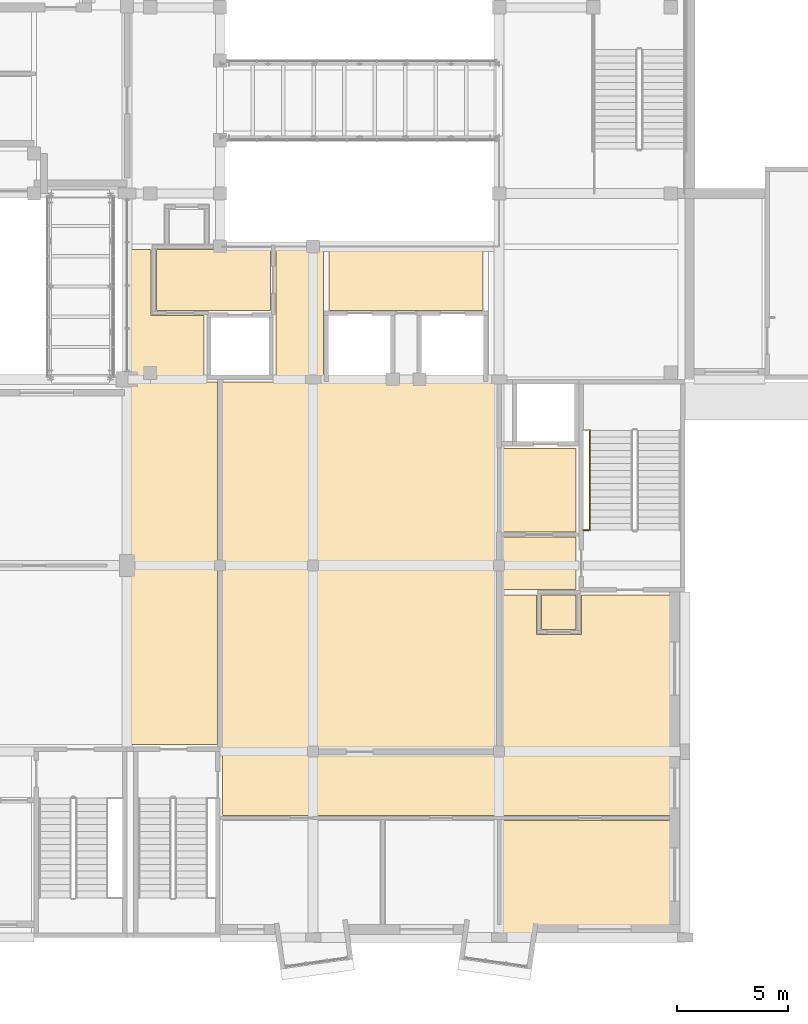
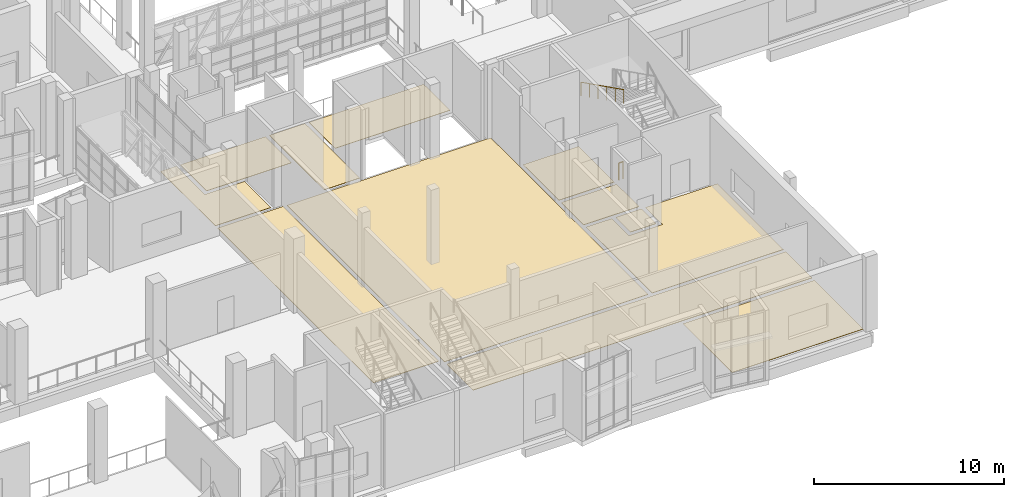
# One storey, part 70 of 86: 12 coverings, 2 railings.
"""IFC4 building model written with IfcOpenShell, lengths in metres."""

from ifc_helpers import new_model, si_unit, direction, frame, origin, origin_2d, place, context, subcontext, project, spatial, polyline, circle, outline, extrude, material, layer, layer_set, type_object, element, save


model = new_model("IFC4")

# Units and contexts
model_context = context("Model", 3, precision=1e-05, world=origin(), true_north=direction((0.0, 1.0)))
body_context = subcontext(model_context, "Body", "Model", "MODEL_VIEW")
ifc_project = project(units=[si_unit("LENGTHUNIT", "METRE"), si_unit("AREAUNIT", "SQUARE_METRE"), si_unit("VOLUMEUNIT", "CUBIC_METRE"), si_unit("PLANEANGLEUNIT", "RADIAN"), si_unit("MASSUNIT", "GRAM", prefix="KILO")], contexts=[model_context])

# Site, building, storey
site_placement = place(None, origin())
site = spatial("IfcSite", under=ifc_project, at=site_placement, CompositionType="ELEMENT")
building_placement = place(site_placement, origin())
building = spatial("IfcBuilding", under=site, at=building_placement, Name="Kiln Court Media Centre", CompositionType="ELEMENT")
storey_placement = place(building_placement, frame((0.0, 0.0, 10.199951171875)))
storey = spatial("IfcBuildingStorey", under=building, at=storey_placement, Name="L02", CompositionType="ELEMENT", Elevation=10.199951171875)

# Coverings
ifc_material_1 = material(Name="Carpet tile")
ifc_layer_1 = layer(ifc_material_1, 0.014892578125)
ifc_layer_set_1 = layer_set([ifc_layer_1], Name="Carpet tile floor finish 15")
covering_type_1 = type_object("IfcCoveringType", Name="Carpet tile floor finish 15", PredefinedType="FLOORING", material=ifc_layer_set_1)
covering_1_placement = place(storey_placement, origin())
element("IfcCovering", 1, at=covering_1_placement, inside=storey, type_object=covering_type_1, Name="Edit Review Room floor finish", PredefinedType="FLOORING", context=body_context, shape_type="SweptSolid", body=[
    extrude(outline(polyline([(50.52001953125, 0.1201171875), (58.47998046875, 0.1201171875), (58.47998046875, 5.280029296875), (50.52001953125, 5.280029296875), (50.52001953125, 0.1201171875)])), origin(), (0.0, 0.0, 1.0), 0.01513671875),
])
ifc_material_2 = material(Name="Engineered timber", Category="wood")
ifc_layer_2 = layer(ifc_material_2, 0.02001953125)
ifc_layer_set_2 = layer_set([ifc_layer_2], Name="Engineered timber floor finish 20")
covering_type_2 = type_object("IfcCoveringType", Name="Engineered timber floor finish 20", PredefinedType="FLOORING", material=ifc_layer_set_2)
covering_2_placement = place(storey_placement, origin())
element("IfcCovering", 2, at=covering_2_placement, inside=storey, type_object=covering_type_2, Name="Screening Room floor finish", PredefinedType="FLOORING", context=body_context, shape_type="SweptSolid", body=[
    extrude(outline(polyline([(37.919921875, 8.52001953125), (50.280029296875, 8.52001953125), (50.280029296875, 25.080078125), (37.919921875, 25.080078125), (37.919921875, 8.52001953125)])), origin(), (0.0, 0.0, 1.0), 0.02001953125),
])
ifc_material_3 = material(Name="Terrazzo")
ifc_layer_3 = layer(ifc_material_3, 0.02490234375)
ifc_layer_set_3 = layer_set([ifc_layer_3], Name="Polished terrazzo floor finish 25")
covering_type_3 = type_object("IfcCoveringType", Name="Polished terrazzo floor finish 25", PredefinedType="FLOORING", material=ifc_layer_set_3)
covering_3_placement = place(storey_placement, origin())
element("IfcCovering", 3, at=covering_3_placement, inside=storey, type_object=covering_type_3, Name="South Gallery West floor finish", PredefinedType="FLOORING", context=body_context, shape_type="SweptSolid", body=[
    extrude(outline(polyline([(37.080078125, 25.320068359375), (37.080078125, 28.080078125), (34.679931640625, 28.080078125), (34.679931640625, 31.080078125), (33.719970703125, 31.080078125), (33.719970703125, 25.320068359375), (37.080078125, 25.320068359375)])), origin(), (0.0, 0.0, 1.0), 0.025146484375),
])
covering_4_placement = place(storey_placement, origin())
element("IfcCovering", 4, at=covering_4_placement, inside=storey, type_object=covering_type_3, Name="South Gallery Link floor finish", PredefinedType="FLOORING", context=body_context, shape_type="SweptSolid", body=[
    extrude(outline(polyline([(40.320068359375, 25.320068359375), (42.47998046875, 25.320068359375), (42.47998046875, 31.080078125), (40.320068359375, 31.080078125), (40.320068359375, 25.320068359375)])), origin(), (0.0, 0.0, 1.0), 0.025146484375),
])
covering_5_placement = place(storey_placement, origin())
element("IfcCovering", 5, at=covering_5_placement, inside=storey, type_object=covering_type_3, Name="Fire-fighting Lift Lobby floor finish", PredefinedType="FLOORING", context=body_context, shape_type="SweptSolid", body=[
    extrude(outline(polyline([(34.919921875, 28.320068359375), (40.080078125, 28.320068359375), (40.080078125, 31.080078125), (34.919921875, 31.080078125), (34.919921875, 28.320068359375)])), origin(), (0.0, 0.0, 1.0), 0.025146484375),
])
covering_6_placement = place(storey_placement, origin())
element("IfcCovering", 6, at=covering_6_placement, inside=storey, type_object=covering_type_3, Name="Glass Lift Landing floor finish", PredefinedType="FLOORING", context=body_context, shape_type="SweptSolid", body=[
    extrude(outline(polyline([(42.719970703125, 28.320068359375), (49.679931640625, 28.320068359375), (49.679931640625, 31.080078125), (42.719970703125, 31.080078125), (42.719970703125, 28.320068359375)])), origin(), (0.0, 0.0, 1.0), 0.025146484375),
])
covering_7_placement = place(storey_placement, origin())
element("IfcCovering", 7, at=covering_7_placement, inside=storey, type_object=covering_type_3, Name="Suite Corridor floor finish", PredefinedType="FLOORING", context=body_context, shape_type="SweptSolid", body=[
    extrude(outline(polyline([(37.919921875, 5.52001953125), (58.47998046875, 5.52001953125), (58.47998046875, 8.280029296875), (37.919921875, 8.280029296875), (37.919921875, 5.52001953125)])), origin(), (0.0, 0.0, 1.0), 0.025146484375),
])
covering_8_placement = place(storey_placement, origin())
element("IfcCovering", 8, at=covering_8_placement, inside=storey, type_object=covering_type_3, Name="Screening Foyer floor finish", PredefinedType="FLOORING", context=body_context, shape_type="SweptSolid", body=[
    extrude(outline(polyline([(50.52001953125, 8.52001953125), (58.47998046875, 8.52001953125), (58.47998046875, 15.47998046875), (54.1201171875, 15.47998046875), (54.1201171875, 13.679931640625), (52.080078125, 13.679931640625), (52.080078125, 15.47998046875), (50.52001953125, 15.47998046875), (50.52001953125, 8.52001953125)])), origin(), (0.0, 0.0, 1.0), 0.025146484375),
])
covering_9_placement = place(storey_placement, origin())
element("IfcCovering", 9, at=covering_9_placement, inside=storey, type_object=covering_type_3, Name="Hall Corridor floor finish", PredefinedType="FLOORING", context=body_context, shape_type="SweptSolid", body=[
    extrude(outline(polyline([(33.719970703125, 25.080078125), (33.719970703125, 8.719970703125), (37.679931640625, 8.719970703125), (37.679931640625, 25.080078125), (33.719970703125, 25.080078125)])), origin(), (0.0, 0.0, 1.0), 0.025146484375),
])
covering_10_placement = place(storey_placement, origin())
element("IfcCovering", 10, at=covering_10_placement, inside=storey, type_object=covering_type_3, Name="Wheelchair Refuge floor finish", PredefinedType="FLOORING", context=body_context, shape_type="SweptSolid", body=[
    extrude(outline(polyline([(52.320068359375, 13.919921875), (53.8798828125, 13.919921875), (53.8798828125, 15.47998046875), (52.320068359375, 15.47998046875), (52.320068359375, 13.919921875)])), origin(), (0.0, 0.0, 1.0), 0.025146484375),
])
covering_11_placement = place(storey_placement, origin())
element("IfcCovering", 11, at=covering_11_placement, inside=storey, type_object=covering_type_3, Name="Stair 5 Lobby floor finish", PredefinedType="FLOORING", context=body_context, shape_type="SweptSolid", body=[
    extrude(outline(polyline([(50.52001953125, 15.719970703125), (53.8798828125, 15.719970703125), (53.8798828125, 18.080078125), (50.52001953125, 18.080078125), (50.52001953125, 15.719970703125)])), origin(), (0.0, 0.0, 1.0), 0.025146484375),
])
covering_12_placement = place(storey_placement, origin())
element("IfcCovering", 12, at=covering_12_placement, inside=storey, type_object=covering_type_3, Name="Fire-fighting Lift Lobby floor finish", PredefinedType="FLOORING", context=body_context, shape_type="SweptSolid", body=[
    extrude(outline(polyline([(50.52001953125, 18.320068359375), (53.8798828125, 18.320068359375), (53.8798828125, 22.080078125), (50.52001953125, 22.080078125), (50.52001953125, 18.320068359375)])), origin(), (0.0, 0.0, 1.0), 0.025146484375),
])

# Railings
ifc_material_4 = material(Name="Steel S275", Category="steel")
railing_type_1 = type_object("IfcRailingType", Name="Steel S275 stair guard 1100", PredefinedType="GUARDRAIL", material=ifc_material_4)
railing_1_placement = place(storey_placement, frame((54.449951171875, 18.39990234375, 0.0)))
element("IfcRailing", 13, at=railing_1_placement, inside=storey, type_object=railing_type_1, Name="ST-05 landing edge guard", PredefinedType="GUARDRAIL", context=body_context, shape_type="SweptSolid", body=[
    extrude(circle(Radius=0.02392578125, at=origin_2d()), frame((0.0, 0.0, 1.076171875), z_axis=(-1.0, 0.0, 0.0), x_axis=(0.0, -1.0, 0.0)), (0.0, 0.0, 1.0), 0.25),
    extrude(circle(Radius=0.02099609375, at=origin_2d()), origin(), (0.0, 0.0, 1.0), 1.052001953125),
    extrude(circle(Radius=0.02099609375, at=origin_2d()), frame((-0.25, 0.0, 0.0)), (0.0, 0.0, 1.0), 1.052001953125),
])
ifc_material_5 = material(Name="Steel S275", Category="steel")
railing_type_2 = type_object("IfcRailingType", Name="Steel S275 stair handrail 900", PredefinedType="HANDRAIL", material=ifc_material_5)
railing_2_placement = place(storey_placement, frame((54.5, 22.89990234375, 2.550048828125)))
element("IfcRailing", 14, at=railing_2_placement, inside=storey, type_object=railing_type_2, Name="ST-05 stair handrail", PredefinedType="HANDRAIL", context=body_context, shape_type="SweptSolid", body=[
    extrude(circle(Radius=0.02392578125, at=origin_2d()), frame((0.0, 0.0, 0.8759765625), z_axis=(0.0, -0.894427191, 0.4472135955), x_axis=(1.0, 0.0, 0.0)), (0.0, 0.0, 1.0), 5.03125),
    extrude(circle(Radius=0.02099609375, at=origin_2d()), origin(), (0.0, 0.0, 1.0), 0.851806640625),
    extrude(circle(Radius=0.02099609375, at=origin_2d()), frame((0.0, -0.89990234375, 0.449951171875)), (0.0, 0.0, 1.0), 0.851806640625),
    extrude(circle(Radius=0.02099609375, at=origin_2d()), frame((0.0, -1.800048828125, 0.89990234375)), (0.0, 0.0, 1.0), 0.851806640625),
    extrude(circle(Radius=0.02099609375, at=origin_2d()), frame((0.0, -2.699951171875, 1.35009765625)), (0.0, 0.0, 1.0), 0.851806640625),
    extrude(circle(Radius=0.02099609375, at=origin_2d()), frame((0.0, -3.60009765625, 1.800048828125)), (0.0, 0.0, 1.0), 0.851806640625),
    extrude(circle(Radius=0.02099609375, at=origin_2d()), frame((0.0, -4.5, 2.25)), (0.0, 0.0, 1.0), 0.851806640625),
])

save(model, "model.ifc")
